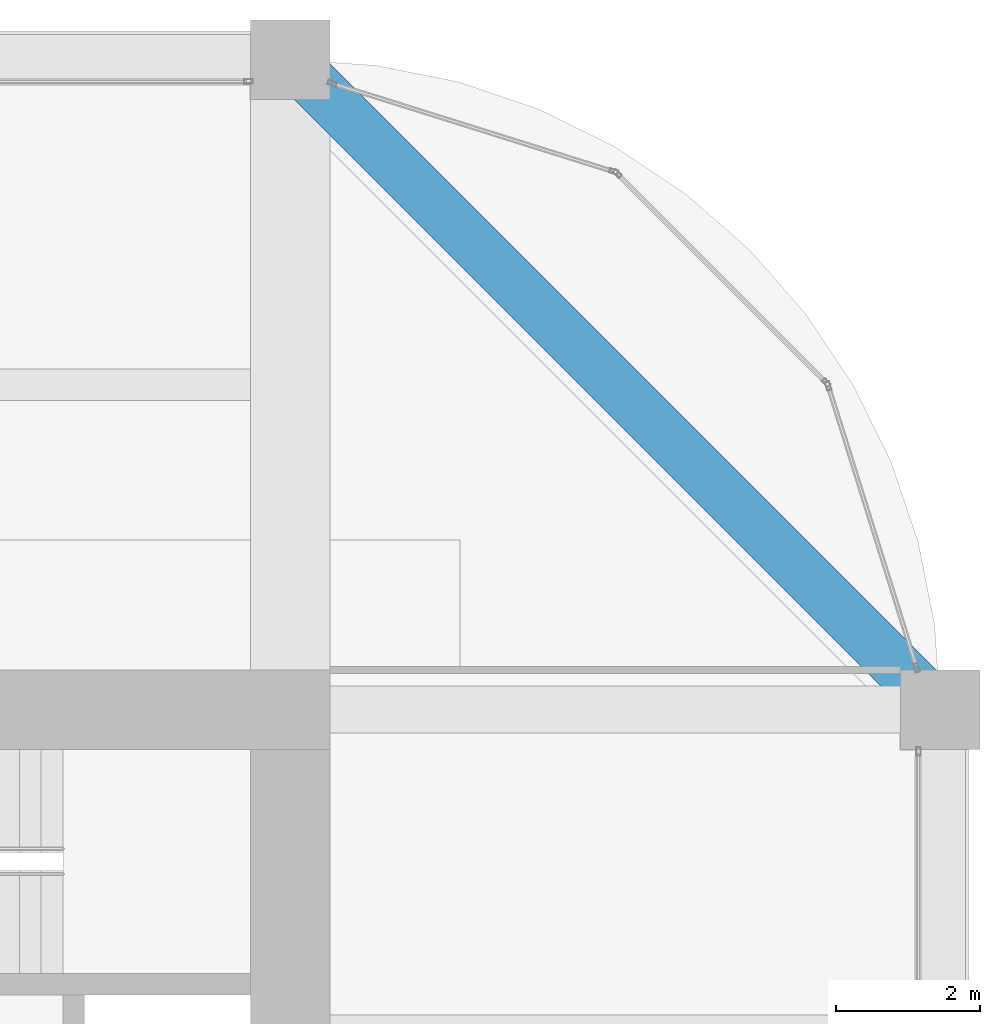
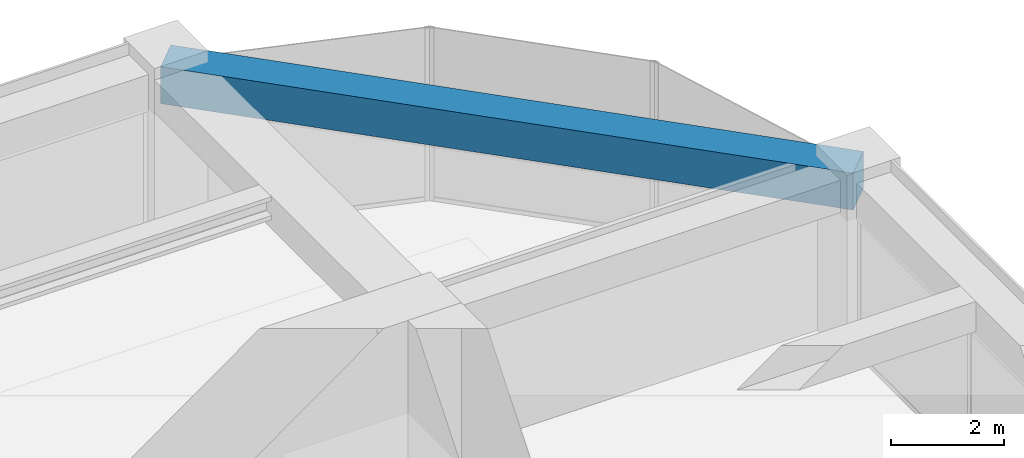
# One storey, part 38 of 44: 1 beam.
"""IFC4 building model written with IfcOpenShell, lengths in metres."""

from ifc_helpers import new_model, si_unit, direction, frame, origin, origin_2d, place, context, subcontext, project, spatial, rectangle, extrude, material, material_profile, profile_set, type_object, element, save


model = new_model("IFC4")

# Units and contexts
model_context = context("Model", 3, precision=1e-05, world=origin(), true_north=direction((0.0, 1.0)))
body_context = subcontext(model_context, "Body", "Model", "MODEL_VIEW")
ifc_project = project(units=[si_unit("LENGTHUNIT", "METRE"), si_unit("AREAUNIT", "SQUARE_METRE"), si_unit("VOLUMEUNIT", "CUBIC_METRE"), si_unit("PLANEANGLEUNIT", "RADIAN"), si_unit("MASSUNIT", "GRAM", prefix="KILO")], contexts=[model_context])

# Site, building, storey
site_placement = place(None, origin())
site = spatial("IfcSite", under=ifc_project, at=site_placement, CompositionType="ELEMENT")
building_placement = place(site_placement, origin())
building = spatial("IfcBuilding", under=site, at=building_placement, Name="Zorevar Civic Tower", CompositionType="ELEMENT")
storey_placement = place(building_placement, frame((0.0, 0.0, 263.39990234375)))
storey = spatial("IfcBuildingStorey", under=building, at=storey_placement, Name="L64", CompositionType="ELEMENT", Elevation=263.39990234375)

# Beam
ifc_material = material(Name="Concrete C50/60", Category="concrete")
ifc_material_profile = material_profile(ifc_material, rectangle(XDim=0.699951171875, YDim=0.800048828125, at=origin_2d()), Name="RC 700x800")
ifc_profile_set = profile_set([ifc_material_profile], Name="Concrete C50/60")
beam_type = type_object("IfcBeamType", Name="Edge beam RC 700x800", PredefinedType="SPANDREL", material=ifc_profile_set)
beam_placement = place(storey_placement, frame((54.0, 36.0, 3.35009765625), z_axis=(-0.707106781187, 0.707106781187, 0.0), x_axis=(-0.707106781187, -0.707106781187, 0.0)))
element("IfcBeam", 1, at=beam_placement, inside=storey, type_object=beam_type, Name="Corner edge beam L65", PredefinedType="SPANDREL", context=body_context, shape_type="SweptSolid", body=[
    extrude(rectangle(XDim=0.699951171875, YDim=0.800048828125, at=origin_2d()), origin(), (0.0, 0.0, 1.0), 12.72802734375),
])

save(model, "model.ifc")
